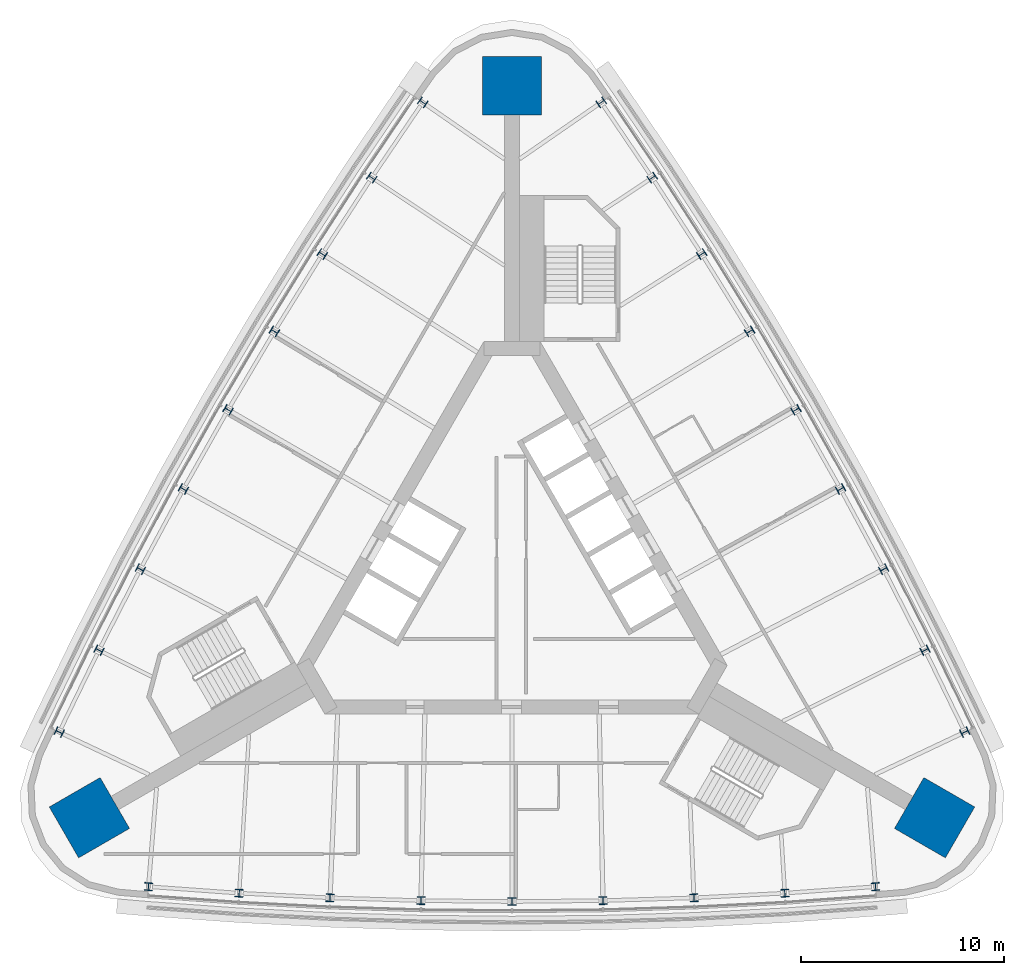
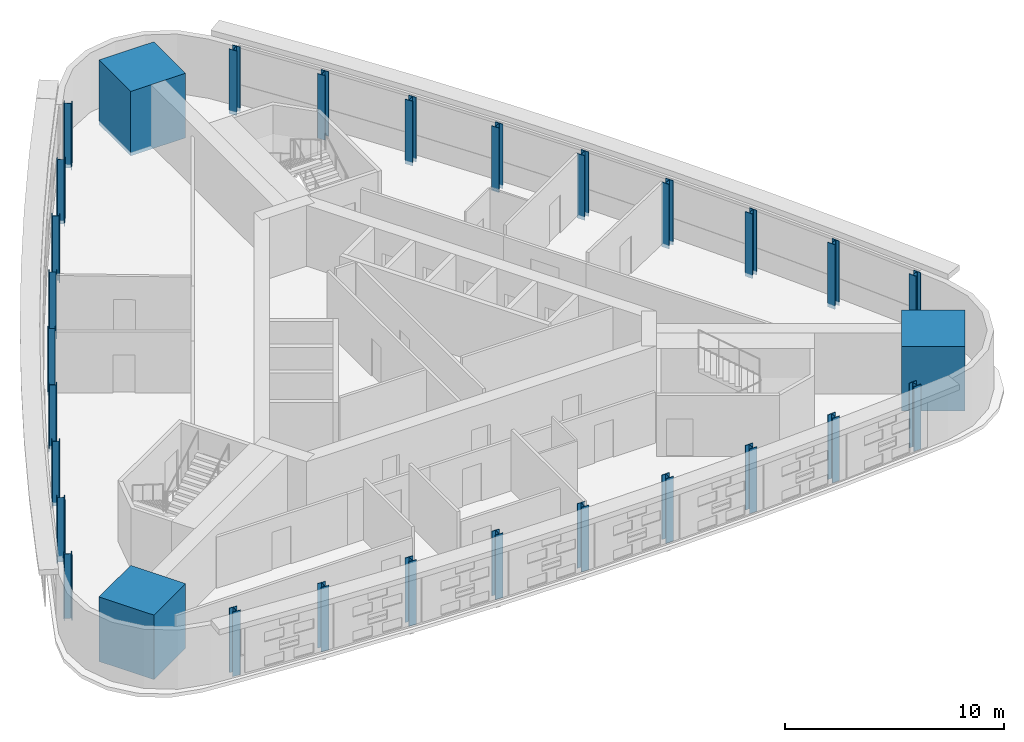
# One storey, part 1 of 13: 30 columns.
"""IFC4 building model written with IfcOpenShell, lengths in metres."""

from ifc_helpers import new_model, si_unit, direction, frame, origin, origin_2d, place, context, subcontext, project, spatial, rectangle, i_section, extrude, material, material_profile, profile_set, type_object, element, save


model = new_model("IFC4")

# Units and contexts
model_context = context("Model", 3, precision=1e-05, world=origin(), true_north=direction((0.0, 1.0)))
body_context = subcontext(model_context, "Body", "Model", "MODEL_VIEW")
ifc_project = project(units=[si_unit("LENGTHUNIT", "METRE"), si_unit("AREAUNIT", "SQUARE_METRE"), si_unit("VOLUMEUNIT", "CUBIC_METRE"), si_unit("PLANEANGLEUNIT", "RADIAN"), si_unit("MASSUNIT", "GRAM", prefix="KILO")], contexts=[model_context])

# Site, building, storey
site_placement = place(None, origin())
site = spatial("IfcSite", under=ifc_project, at=site_placement, CompositionType="ELEMENT")
building_placement = place(site_placement, origin())
building = spatial("IfcBuilding", under=site, at=building_placement, Name="Noor Cloister Tower", CompositionType="ELEMENT")
storey_placement = place(building_placement, frame((0.0, 0.0, 140.10009765625)))
storey = spatial("IfcBuildingStorey", under=building, at=storey_placement, Name="L35", CompositionType="ELEMENT", Elevation=140.10009765625)

# Columns
ifc_material_1 = material(Name="Steel ASTM A992 Gr 50", Category="steel")
ifc_material_profile_1 = material_profile(ifc_material_1, i_section(OverallWidth=0.39892578125, OverallDepth=0.385986328125, WebThickness=0.02099609375, FlangeThickness=0.033203125, FilletRadius=0.01513671875, at=origin_2d()), Name="W360x262")
ifc_profile_set_1 = profile_set([ifc_material_profile_1], Name="Steel ASTM A992 Gr 50")
column_type_1 = type_object("IfcColumnType", Name="Column W360x262", PredefinedType="COLUMN", material=ifc_profile_set_1)
for number, where, z_axis, x_axis, name in (
    (1, (-4.401123046875, 23.250244140625, -0.2001953125), (0.0, 0.0, 1.0), (-0.569265618593, -0.822153669023, 0.0), "Column NW 01 L35"),
    (2, (-6.91845703125, 19.533935546875, -0.2001953125), (0.0, 0.0, 1.0), (-0.552290209593, -0.8336519204, 0.0), "Column NW 02 L35"),
    (3, (-9.35888671875, 15.766845703125, -0.2001953125), (0.0, 0.0, 1.0), (-0.535082631987, -0.844799725939, 0.0), "Column NW 03 L35"),
    (4, (-11.7216796875, 11.950439453125, -0.2001953125), (0.0, 0.0, 1.0), (-0.517650119395, -0.855592399388, 0.0), "Column NW 04 L35"),
    (5, (-14.005859375, 8.086181640625, -0.2001953125), (0.0, 0.0, 1.0), (-0.5, -0.866025403784, 0.0), "Column NW 05 L35"),
    (6, (-16.210205078125, 4.17626953125, -0.2001953125), (0.0, 0.0, 1.0), (-0.482139693457, -0.876094353362, 0.0), "Column NW 06 L35"),
    (7, (-18.333984375, 0.2216796875, -0.2001953125), (0.0, 0.0, 1.0), (-0.46407670778, -0.885795015394, 0.0), "Column NW 07 L35"),
    (8, (-20.3759765625, -3.775390625, -0.2001953125), (0.0, 0.0, 1.0), (-0.445818636184, -0.89512331197, 0.0), "Column NW 08 L35"),
    (9, (-22.3359375, -7.813720703125, -0.2001953125), (0.0, 0.0, 1.0), (-0.427373153892, -0.904075321714, 0.0), "Column NW 09 L35"),
    (10, (-17.934814453125, -15.436767578125, -0.2001953125), (0.0, 0.0, 1.0), (0.996638772485, -0.081921652691, 0.0), "Column S 01 L35"),
    (11, (-13.457763671875, -15.758544921875, -0.2001953125), (0.0, 0.0, 1.0), (0.998108845777, -0.061471391569, 0.0), "Column S 02 L35"),
    (12, (-8.974853515625, -15.988525390625, -0.2001953125), (0.0, 0.0, 1.0), (0.999159339766, -0.040995289455, 0.0), "Column S 03 L35"),
    (13, (-4.488525390625, -16.12646484375, -0.2001953125), (0.0, 0.0, 1.0), (0.999789812852, -0.020501953975, 0.0), "Column S 04 L35"),
    (14, (0.0, -16.172607421875, -0.2001953125), (0.0, 0.0, 1.0), (1.0, 0.0, 0.0), "Column S 05 L35"),
    (15, (4.488525390625, -16.12646484375, -0.2001953125), (0.0, 0.0, 1.0), (0.999789812852, 0.020501953975, 0.0), "Column S 06 L35"),
    (16, (8.974853515625, -15.988525390625, -0.2001953125), (0.0, 0.0, 1.0), (0.999159339766, 0.040995289455, 0.0), "Column S 07 L35"),
    (17, (13.457763671875, -15.758544921875, -0.2001953125), (0.0, 0.0, 1.0), (0.998108845777, 0.061471391569, 0.0), "Column S 08 L35"),
    (18, (17.934814453125, -15.436767578125, -0.2001953125), (0.0, 0.0, 1.0), (0.996638772485, 0.081921652691, 0.0), "Column S 09 L35"),
    (19, (22.3359375, -7.813720703125, -0.2001953125), (0.0, 0.0, 1.0), (-0.427373153892, 0.904075321714, 0.0), "Column NE 01 L35"),
    (20, (20.3759765625, -3.775390625, -0.2001953125), (0.0, 0.0, 1.0), (-0.445818636184, 0.89512331197, 0.0), "Column NE 02 L35"),
    (21, (18.333984375, 0.2216796875, -0.2001953125), (0.0, 0.0, 1.0), (-0.46407670778, 0.885795015394, 0.0), "Column NE 03 L35"),
    (22, (16.210205078125, 4.17626953125, -0.2001953125), (0.0, 0.0, 1.0), (-0.482139693457, 0.876094353362, 0.0), "Column NE 04 L35"),
    (23, (14.005859375, 8.086181640625, -0.2001953125), (0.0, 0.0, 1.0), (-0.5, 0.866025403784, 0.0), "Column NE 05 L35"),
    (24, (11.7216796875, 11.950439453125, -0.2001953125), (0.0, 0.0, 1.0), (-0.517650119395, 0.855592399388, 0.0), "Column NE 06 L35"),
    (25, (9.35888671875, 15.766845703125, -0.2001953125), (0.0, 0.0, 1.0), (-0.535082631987, 0.844799725939, 0.0), "Column NE 07 L35"),
    (26, (6.91845703125, 19.533935546875, -0.2001953125), (0.0, 0.0, 1.0), (-0.552290209593, 0.8336519204, 0.0), "Column NE 08 L35"),
    (27, (4.401123046875, 23.250244140625, -0.2001953125), (0.0, 0.0, 1.0), (-0.569265618593, 0.822153669023, 0.0), "Column NE 09 L35"),
):
    element("IfcColumn", number, at=place(storey_placement, frame(where, z_axis=z_axis, x_axis=x_axis)), inside=storey, type_object=column_type_1, Name=name, PredefinedType="COLUMN", context=body_context, shape_type="SweptSolid", body=[
        extrude(i_section(OverallWidth=0.39892578125, OverallDepth=0.385986328125, WebThickness=0.02099609375, FlangeThickness=0.033203125, FilletRadius=0.01513671875, at=origin_2d()), origin(), (0.0, 0.0, 1.0), 3.60009765625),
    ])
ifc_material_2 = material(Name="Concrete C70/85", Category="concrete")
ifc_material_profile_2 = material_profile(ifc_material_2, rectangle(XDim=2.89990234375, YDim=2.89990234375, at=origin_2d()), Name="RC 2900x2900")
ifc_profile_set_2 = profile_set([ifc_material_profile_2], Name="Concrete C70/85")
column_type_2 = type_object("IfcColumnType", Name="Corner pier 2900 x 2900 C70/85", PredefinedType="COLUMN", material=ifc_profile_set_2)
for number, where, z_axis, x_axis, name in (
    (28, (0.0, 24.072998046875, -0.2001953125), (0.0, 0.0, 1.0), (0.0, 1.0, 0.0), "Corner pier N L35"),
    (29, (-20.847900390625, -12.03662109375, -0.2001953125), (0.0, 0.0, 1.0), (-0.866025403784, -0.5, 0.0), "Corner pier SW L35"),
    (30, (20.847900390625, -12.03662109375, -0.2001953125), (0.0, 0.0, 1.0), (0.866025403784, -0.5, 0.0), "Corner pier SE L35"),
):
    element("IfcColumn", number, at=place(storey_placement, frame(where, z_axis=z_axis, x_axis=x_axis)), inside=storey, type_object=column_type_2, Name=name, PredefinedType="COLUMN", context=body_context, shape_type="SweptSolid", body=[
        extrude(rectangle(XDim=2.89990234375, YDim=2.89990234375, at=origin_2d()), origin(), (0.0, 0.0, 1.0), 3.60009765625),
    ])

save(model, "model.ifc")
